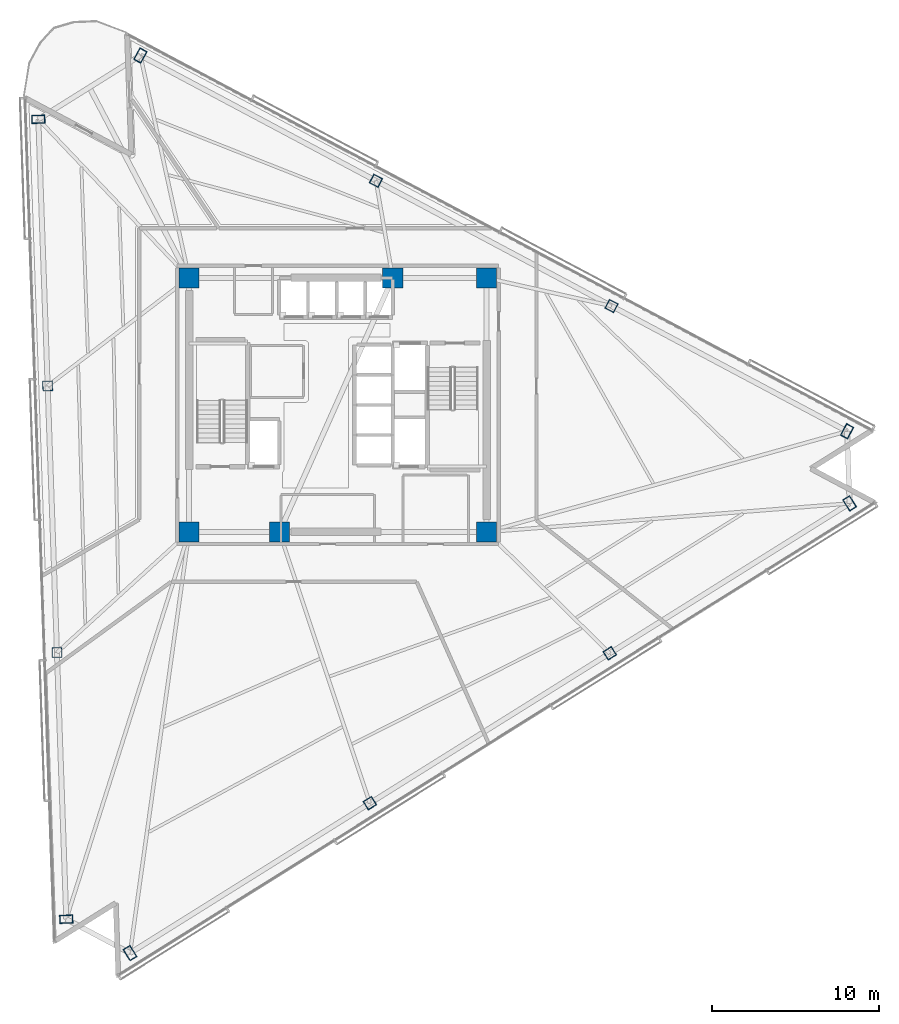
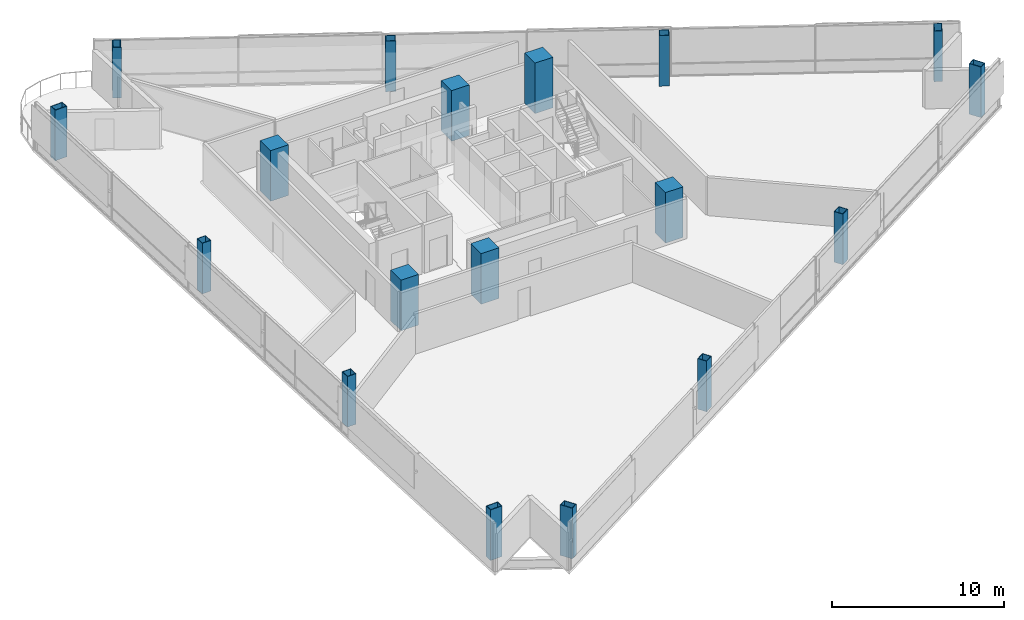
# One storey, part 1 of 18: 18 columns.
"""IFC4 building model written with IfcOpenShell, lengths in metres."""

from ifc_helpers import new_model, si_unit, direction, frame, origin, origin_2d, place, context, subcontext, project, spatial, rectangle, hollow_rectangle, extrude, material, material_profile, profile_set, type_object, element, save


model = new_model("IFC4")

# Units and contexts
model_context = context("Model", 3, precision=1e-05, world=origin(), true_north=direction((0.0, 1.0)))
body_context = subcontext(model_context, "Body", "Model", "MODEL_VIEW")
ifc_project = project(units=[si_unit("LENGTHUNIT", "METRE"), si_unit("AREAUNIT", "SQUARE_METRE"), si_unit("VOLUMEUNIT", "CUBIC_METRE"), si_unit("PLANEANGLEUNIT", "RADIAN"), si_unit("MASSUNIT", "GRAM", prefix="KILO")], contexts=[model_context])

# Site, building, storey
site_placement = place(None, origin())
site = spatial("IfcSite", under=ifc_project, at=site_placement, CompositionType="ELEMENT")
building_placement = place(site_placement, origin())
building = spatial("IfcBuilding", under=site, at=building_placement, Name="Tharavind Bronze Gate", CompositionType="ELEMENT")
storey_placement = place(building_placement, frame((0.0, 0.0, 153.199951171875)))
storey = spatial("IfcBuildingStorey", under=building, at=storey_placement, Name="L39", CompositionType="ELEMENT", Elevation=153.199951171875)

# Columns
ifc_material_1 = material(Name="Steel S460", Category="steel")
ifc_material_profile_1 = material_profile(ifc_material_1, hollow_rectangle(XDim=0.5, YDim=0.800048828125, WallThickness=0.0400390625, at=origin_2d()), Name="RHS800X500X40")
ifc_profile_set_1 = profile_set([ifc_material_profile_1], Name="Steel S460")
column_type_1 = type_object("IfcColumnType", Name="CORNER NOTCH COLUMN RHS800X500", PredefinedType="COLUMN", material=ifc_profile_set_1)
for number, where, z_axis, x_axis, name in (
    (1, (-17.9248046875, 17.09228515625, 0.0), (0.0, 0.0, 1.0), (-0.034899496703, 0.999390827019, 0.0), "L39 perimeter column S1C1"),
    (2, (-16.253662109375, -30.767578125, 0.0), (0.0, 0.0, 1.0), (-0.034899496703, 0.999390827019, 0.0), "L39 perimeter column S1C4"),
    (3, (-12.439208984375, -32.7958984375, 0.0), (0.0, 0.0, 1.0), (0.848047171272, 0.529920744356, 0.0), "L39 perimeter column S2C1"),
    (4, (30.615478515625, -5.89208984375, 0.0), (0.0, 0.0, 1.0), (0.848047171272, 0.529920744356, 0.0), "L39 perimeter column S2C4"),
    (5, (30.46484375, -1.57470703125, 0.0), (0.0, 0.0, 1.0), (-0.88294841224, 0.469470021751, 0.0), "L39 perimeter column S3C1"),
    (6, (-11.819091796875, 20.90771484375, 0.0), (0.0, 0.0, 1.0), (-0.88294841224, 0.469470021751, 0.0), "L39 perimeter column S3C4"),
):
    element("IfcColumn", number, at=place(storey_placement, frame(where, z_axis=z_axis, x_axis=x_axis)), inside=storey, type_object=column_type_1, Name=name, PredefinedType="COLUMN", context=body_context, shape_type="SweptSolid", body=[
        extrude(hollow_rectangle(XDim=0.5, YDim=0.800048828125, WallThickness=0.0400390625, at=origin_2d()), origin(), (0.0, 0.0, 1.0), 3.60009765625),
    ])
ifc_material_2 = material(Name="Concrete C60/75", Category="concrete")
ifc_material_profile_2 = material_profile(ifc_material_2, rectangle(XDim=1.199951171875, YDim=1.199951171875, at=origin_2d()), Name="RCCOL1200")
ifc_profile_set_2 = profile_set([ifc_material_profile_2], Name="Concrete C60/75")
column_type_2 = type_object("IfcColumnType", Name="MEGA CORE COLUMN 1200", PredefinedType="COLUMN", material=ifc_profile_set_2)
for number, where, z_axis, x_axis, name in (
    (7, (-8.89990234375, -7.60009765625, 0.0), (0.0, 0.0, 1.0), (1.0, 0.0, 0.0), "L39 core mega column MC1"),
    (8, (-3.5, -7.60009765625, 0.0), (0.0, 0.0, 1.0), (1.0, 0.0, 0.0), "L39 core mega column MC2"),
    (9, (8.89990234375, -7.60009765625, 0.0), (0.0, 0.0, 1.0), (1.0, 0.0, 0.0), "L39 core mega column MC3"),
    (10, (8.89990234375, 7.60009765625, 0.0), (0.0, 0.0, 1.0), (1.0, 0.0, 0.0), "L39 core mega column MC4"),
    (11, (3.280029296875, 7.60009765625, 0.0), (0.0, 0.0, 1.0), (1.0, 0.0, 0.0), "L39 core mega column MC5"),
    (12, (-8.89990234375, 7.60009765625, 0.0), (0.0, 0.0, 1.0), (1.0, 0.0, 0.0), "L39 core mega column MC6"),
):
    element("IfcColumn", number, at=place(storey_placement, frame(where, z_axis=z_axis, x_axis=x_axis)), inside=storey, type_object=column_type_2, Name=name, PredefinedType="COLUMN", context=body_context, shape_type="SweptSolid", body=[
        extrude(rectangle(XDim=1.199951171875, YDim=1.199951171875, at=origin_2d()), origin(), (0.0, 0.0, 1.0), 3.60009765625),
    ])
ifc_material_profile_3 = material_profile(ifc_material_1, hollow_rectangle(XDim=0.60009765625, YDim=0.60009765625, WallThickness=0.035888671875, at=origin_2d()), Name="SHS600X36")
ifc_profile_set_3 = profile_set([ifc_material_profile_3], Name="Steel S460")
column_type_3 = type_object("IfcColumnType", Name="PERIMETER BOX COLUMN SHS600", PredefinedType="COLUMN", material=ifc_profile_set_3)
for number, where, z_axis, x_axis, name in (
    (13, (-17.367919921875, 1.138916015625, 0.0), (0.0, 0.0, 1.0), (-0.034899496703, 0.999390827019, 0.0), "L39 perimeter column S1C2"),
    (14, (-16.810791015625, -14.814208984375, 0.0), (0.0, 0.0, 1.0), (-0.034899496703, 0.999390827019, 0.0), "L39 perimeter column S1C3"),
    (15, (1.912353515625, -23.827880859375, 0.0), (0.0, 0.0, 1.0), (0.848047171272, 0.529920744356, 0.0), "L39 perimeter column S2C2"),
    (16, (16.263916015625, -14.860107421875, 0.0), (0.0, 0.0, 1.0), (0.848047171272, 0.529920744356, 0.0), "L39 perimeter column S2C3"),
    (17, (16.3701171875, 5.91943359375, 0.0), (0.0, 0.0, 1.0), (-0.88294841224, 0.469470021751, 0.0), "L39 perimeter column S3C2"),
    (18, (2.275634765625, 13.41357421875, 0.0), (0.0, 0.0, 1.0), (-0.88294841224, 0.469470021751, 0.0), "L39 perimeter column S3C3"),
):
    element("IfcColumn", number, at=place(storey_placement, frame(where, z_axis=z_axis, x_axis=x_axis)), inside=storey, type_object=column_type_3, Name=name, PredefinedType="COLUMN", context=body_context, shape_type="SweptSolid", body=[
        extrude(hollow_rectangle(XDim=0.60009765625, YDim=0.60009765625, WallThickness=0.035888671875, at=origin_2d()), origin(), (0.0, 0.0, 1.0), 3.60009765625),
    ])

save(model, "model.ifc")
